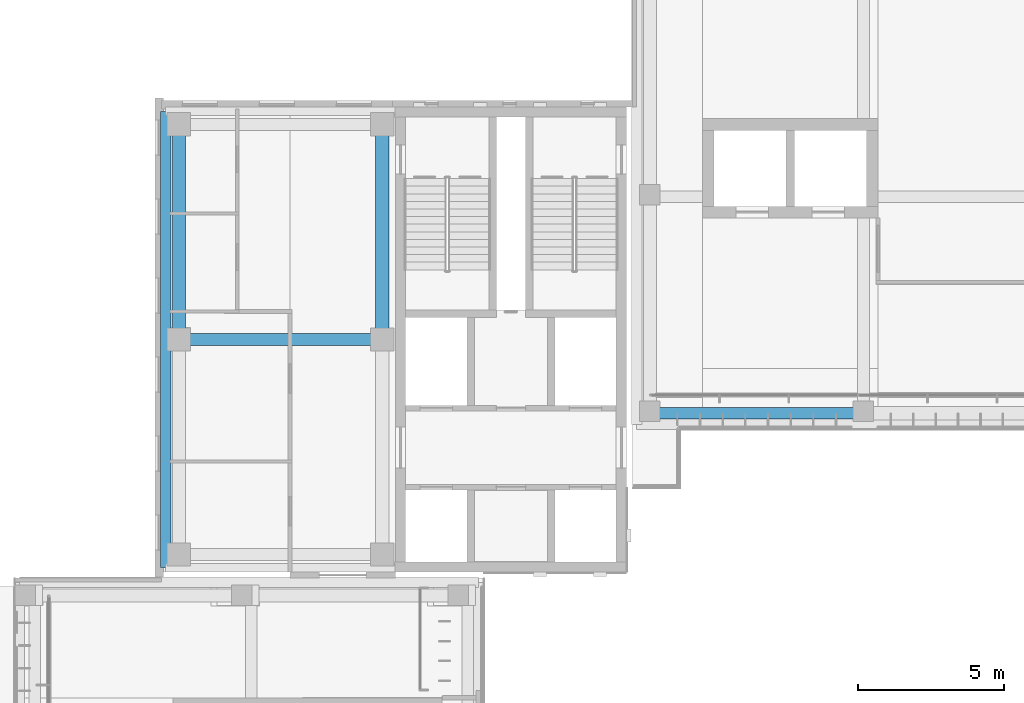
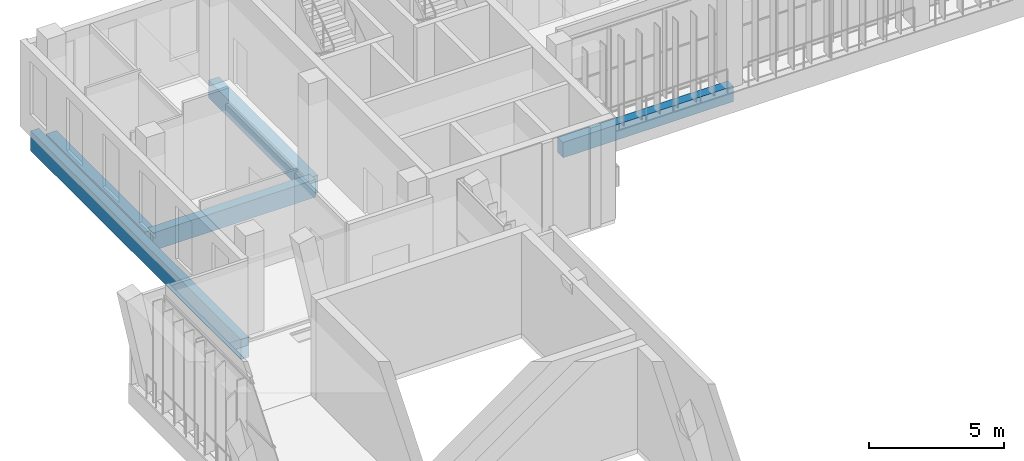
# One storey, part 18 of 73: 5 beams.
"""IFC4 building model written with IfcOpenShell, lengths in metres."""

from ifc_helpers import new_model, si_unit, direction, frame, origin, origin_2d, place, context, subcontext, project, spatial, rectangle, extrude, material, material_profile, profile_set, type_object, element, save


model = new_model("IFC4")

# Units and contexts
model_context = context("Model", 3, precision=1e-05, world=origin(), true_north=direction((0.0, 1.0)))
body_context = subcontext(model_context, "Body", "Model", "MODEL_VIEW")
ifc_project = project(units=[si_unit("LENGTHUNIT", "METRE"), si_unit("AREAUNIT", "SQUARE_METRE"), si_unit("VOLUMEUNIT", "CUBIC_METRE"), si_unit("PLANEANGLEUNIT", "RADIAN"), si_unit("MASSUNIT", "GRAM", prefix="KILO")], contexts=[model_context])

# Site, building, storey
site_placement = place(None, origin())
site = spatial("IfcSite", under=ifc_project, at=site_placement, CompositionType="ELEMENT")
building_placement = place(site_placement, origin())
building = spatial("IfcBuilding", under=site, at=building_placement, Name="Lantern Court Media Centre", CompositionType="ELEMENT")
storey_placement = place(building_placement, frame((0.0, 0.0, 24.0)))
storey = spatial("IfcBuildingStorey", under=building, at=storey_placement, Name="L05", CompositionType="ELEMENT", Elevation=24.0)

# Beams
ifc_material = material(Name="Concrete C35", Category="concrete")
ifc_material_profile_1 = material_profile(ifc_material, rectangle(XDim=0.35009765625, YDim=0.89990234375, at=origin_2d()), Name="RC 350x900")
ifc_profile_set_1 = profile_set([ifc_material_profile_1], Name="Concrete C35")
beam_type_1 = type_object("IfcBeamType", Name="RC BEAM 350x900", PredefinedType="BEAM", material=ifc_profile_set_1)
beam_1_placement = place(storey_placement, frame((8.14990234375, 96.25, -0.449951171875), z_axis=(0.0, 1.0, 0.0), x_axis=(-1.0, 0.0, 0.0)))
element("IfcBeam", 1, at=beam_1_placement, inside=storey, type_object=beam_type_1, Name="EB-NW-L05-W", PredefinedType="BEAM", context=body_context, shape_type="SweptSolid", body=[
    extrude(rectangle(XDim=0.35009765625, YDim=0.89990234375, at=origin_2d()), origin(), (0.0, 0.0, 1.0), 15.60009765625),
])
ifc_material_profile_2 = material_profile(ifc_material, rectangle(XDim=0.39990234375, YDim=0.699951171875, at=origin_2d()), Name="RC 400x700")
ifc_profile_set_2 = profile_set([ifc_material_profile_2], Name="Concrete C35")
beam_type_2 = type_object("IfcBeamType", Name="RC BEAM 400x700", PredefinedType="BEAM", material=ifc_profile_set_2)
beam_2_placement = place(storey_placement, frame((24.699951171875, 101.527099609375, -0.35009765625), z_axis=(1.0, 0.0, 0.0), x_axis=(0.0, 1.0, 0.0)))
element("IfcBeam", 2, at=beam_2_placement, inside=storey, type_object=beam_type_2, Name="LB-N-L05-0-0", PredefinedType="BEAM", context=body_context, shape_type="SweptSolid", body=[
    extrude(rectangle(XDim=0.39990234375, YDim=0.699951171875, at=origin_2d()), origin(), (0.0, 0.0, 1.0), 7.300048828125),
])
ifc_material_profile_3 = material_profile(ifc_material, rectangle(XDim=0.39990234375, YDim=0.800048828125, at=origin_2d()), Name="RC 400x800")
ifc_profile_set_3 = profile_set([ifc_material_profile_3], Name="Concrete C35")
beam_type_3 = type_object("IfcBeamType", Name="RC BEAM 400x800", PredefinedType="BEAM", material=ifc_profile_set_3)
beam_3_placement = place(storey_placement, frame((8.60009765625, 104.050048828125, -0.39990234375), z_axis=(1.0, 0.0, 0.0), x_axis=(0.0, 1.0, 0.0)))
element("IfcBeam", 3, at=beam_3_placement, inside=storey, type_object=beam_type_3, Name="BB-NW-L05-Y0-104", PredefinedType="BEAM", context=body_context, shape_type="SweptSolid", body=[
    extrude(rectangle(XDim=0.39990234375, YDim=0.800048828125, at=origin_2d()), origin(), (0.0, 0.0, 1.0), 6.949951171875),
])
ifc_material_profile_4 = material_profile(ifc_material, rectangle(XDim=0.449951171875, YDim=0.800048828125, at=origin_2d()), Name="RC 450x800")
ifc_profile_set_4 = profile_set([ifc_material_profile_4], Name="Concrete C35")
beam_type_4 = type_object("IfcBeamType", Name="RC BEAM 450x800", PredefinedType="BEAM", material=ifc_profile_set_4)
for number, where, z_axis, x_axis, name in (
    (4, (8.60009765625, 104.050048828125, -0.39990234375), (0.0, 1.0, 0.0), (-1.0, 0.0, 0.0), "BB-NW-L05-X1-8"),
    (5, (15.550048828125, 104.050048828125, -0.39990234375), (0.0, 1.0, 0.0), (-1.0, 0.0, 0.0), "BB-NW-L05-X1-15"),
):
    element("IfcBeam", number, at=place(storey_placement, frame(where, z_axis=z_axis, x_axis=x_axis)), inside=storey, type_object=beam_type_4, Name=name, PredefinedType="BEAM", context=body_context, shape_type="SweptSolid", body=[
        extrude(rectangle(XDim=0.449951171875, YDim=0.800048828125, at=origin_2d()), origin(), (0.0, 0.0, 1.0), 7.349853515625),
    ])

save(model, "model.ifc")
